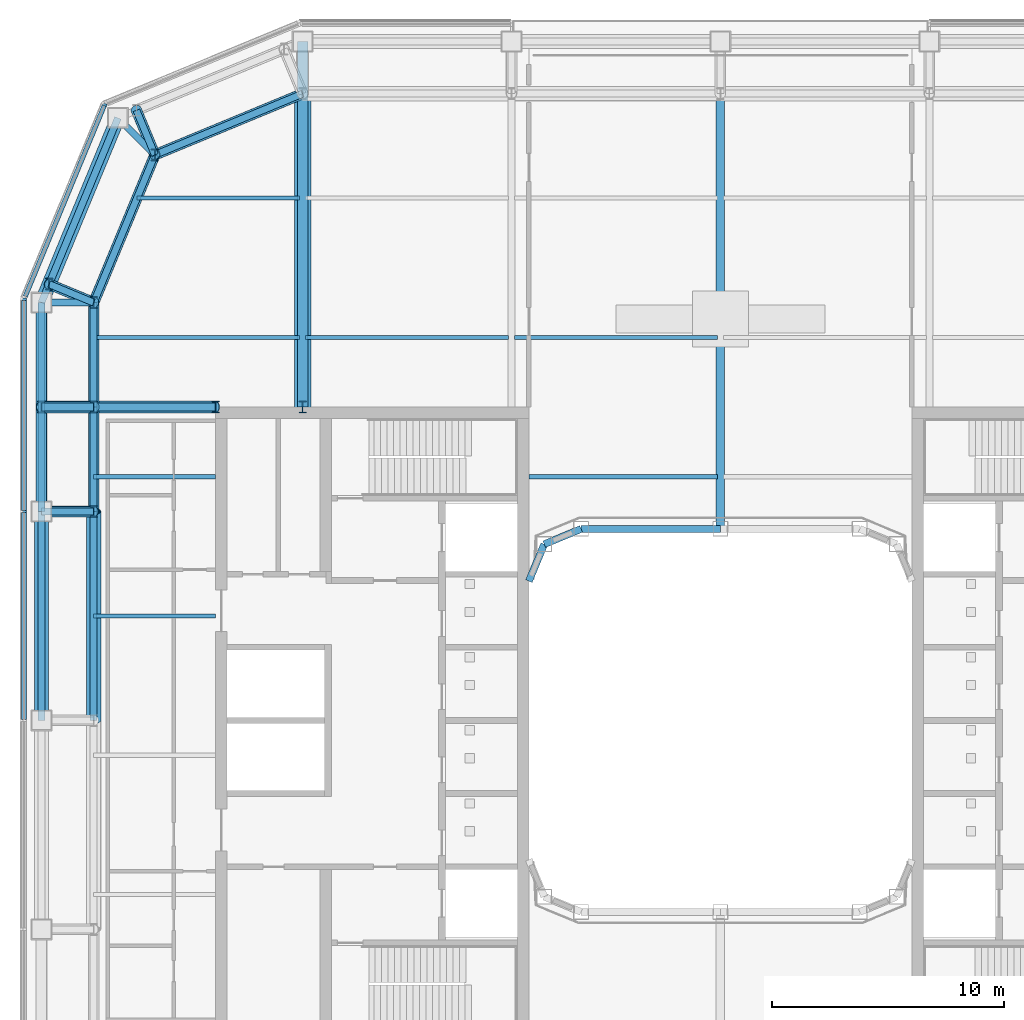
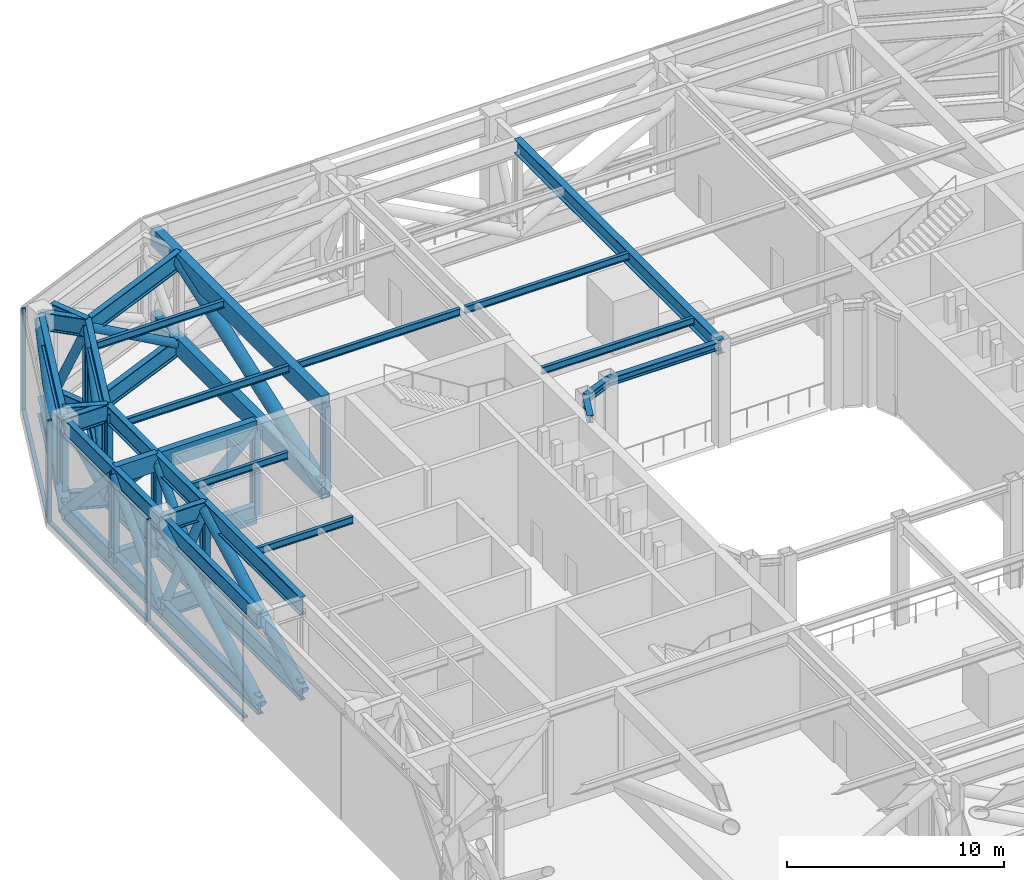
# One storey, part 6 of 22: 41 beams, 29 members, 2 elements without a shape of their own.
"""IFC4 building model written with IfcOpenShell, lengths in metres."""

import ifcopenshell
import ifcopenshell.guid

model = None  # the IFC model being written
_history = None  # IfcOwnerHistory: only IFC2X3 demands one
_inside = {}  # id of a spatial element -> (the spatial element, [elements in it])
_under = {}  # id of a project, library or spatial element -> (it, [spatial elements below it])
_declared = {}  # id of a project -> (the project, [libraries it declares])
_typed = {}  # id of a type object -> (the type object, [elements of that type])
_made_of = {}  # id of a material, layer set ... -> (it, [elements and type objects made of it])


def new_model(schema):
    """Start an empty IFC model of exactly this schema.

    Asked for "IFC4X3", IfcOpenShell would pick the latest addendum, in which some entities
    have other attributes; the version numbers below select the first issue.
    IFC2X3 requires an IfcOwnerHistory on every rooted entity: one is made here for all.
    """
    global model, _history
    if schema == "IFC4X3":
        model = ifcopenshell.file(schema_version=(4, 3, 0, 0))
    else:
        model = ifcopenshell.file(schema=schema)
    _inside.clear()
    _under.clear()
    _declared.clear()
    _typed.clear()
    _made_of.clear()
    _history = None
    if model.schema == "IFC2X3":
        org = make("IfcOrganization", Name="unknown")
        user = make(
            "IfcPersonAndOrganization",
            ThePerson=make("IfcPerson", FamilyName="unknown"),
            TheOrganization=org,
        )
        app = make(
            "IfcApplication",
            ApplicationDeveloper=org,
            Version="unknown",
            ApplicationFullName="unknown",
            ApplicationIdentifier="unknown",
        )
        _history = make(
            "IfcOwnerHistory",
            OwningUser=user,
            OwningApplication=app,
            ChangeAction="ADDED",
            CreationDate=0,
        )
    return model


def make(cls, **values):
    """One entity of the class cls with the attributes given. An attribute that is None is left unset."""
    return model.create_entity(
        cls, **{name: value for name, value in values.items() if value is not None}
    )


def rooted(cls, **values):
    """An entity with a GlobalId (a new one), such as an element, a storey or a relation."""
    return make(cls, GlobalId=ifcopenshell.guid.new(), OwnerHistory=_history, **values)


def si_unit(unit_type, name, prefix=None):
    """IfcSIUnit, for example si_unit("LENGTHUNIT", "METRE", prefix="MILLI")."""
    return make("IfcSIUnit", UnitType=unit_type, Prefix=prefix, Name=name)


def assignment(units):
    """IfcUnitAssignment: the units of a project."""
    return None if units is None else make("IfcUnitAssignment", Units=units)


def point(xyz):
    """IfcCartesianPoint."""
    return None if xyz is None else make("IfcCartesianPoint", Coordinates=xyz)


def direction(xyz):
    """IfcDirection."""
    return None if xyz is None else make("IfcDirection", DirectionRatios=xyz)


def frame(location, z_axis=None, x_axis=None):
    """IfcAxis2Placement3D, a coordinate frame: its origin and axes. An axis left out is left unset."""
    return make(
        "IfcAxis2Placement3D",
        Location=point(location),
        Axis=direction(z_axis),
        RefDirection=direction(x_axis),
    )


def frame_2d(location, x_axis=None):
    """IfcAxis2Placement2D, a coordinate frame in the plane: its origin and x axis."""
    return make(
        "IfcAxis2Placement2D", Location=point(location), RefDirection=direction(x_axis)
    )


def origin():
    """The frame at (0, 0, 0) with its axes left unset."""
    return frame((0.0, 0.0, 0.0))


def origin_2d():
    """The frame at (0, 0) in the plane with its x axis left unset."""
    return frame_2d((0.0, 0.0))


def place(relative_to, where):
    """IfcLocalPlacement: puts the frame where relative to a parent placement (None: the world)."""
    return make(
        "IfcLocalPlacement", PlacementRelTo=relative_to, RelativePlacement=where
    )


def context(
    kind, dimensions, precision=None, world=None, true_north=None, identifier=None
):
    """IfcGeometricRepresentationContext, for example the 3D "Model" context."""
    return make(
        "IfcGeometricRepresentationContext",
        ContextIdentifier=identifier,
        ContextType=kind,
        CoordinateSpaceDimension=dimensions,
        Precision=precision,
        WorldCoordinateSystem=world,
        TrueNorth=true_north,
    )


def subcontext(parent, identifier, kind, view, scale=None):
    """IfcGeometricRepresentationSubContext, for example "Body" below "Model"."""
    return make(
        "IfcGeometricRepresentationSubContext",
        ContextIdentifier=identifier,
        ContextType=kind,
        ParentContext=parent,
        TargetScale=scale,
        TargetView=view,
    )


def project(units=None, contexts=None):
    """IfcProject with its units and contexts."""
    return rooted(
        "IfcProject",
        Name="project",
        RepresentationContexts=contexts,
        UnitsInContext=assignment(units),
    )


def spatial(cls, under=None, at=None, **own):
    """A site, building, storey or space (cls), placed at a placement, below another one or the project."""
    s = rooted(cls, ObjectPlacement=at, **own)
    if under is not None:
        _under.setdefault(under.id(), (under, []))[1].append(s)
    return s


def profile(cls, at=None, kind="AREA", **sizes):
    """A parametric profile (cls). Its sizes go by their IFC names, for example OverallWidth=200.0."""
    return make(cls, ProfileType=kind, Position=at, **sizes)


def rectangle(**sizes):
    """IfcRectangleProfileDef."""
    return profile("IfcRectangleProfileDef", **sizes)


def hollow_rectangle(**sizes):
    """IfcRectangleHollowProfileDef."""
    return profile("IfcRectangleHollowProfileDef", **sizes)


def hollow_circle(**sizes):
    """IfcCircleHollowProfileDef."""
    return profile("IfcCircleHollowProfileDef", **sizes)


def i_section(**sizes):
    """IfcIShapeProfileDef."""
    return profile("IfcIShapeProfileDef", **sizes)


def extrude(swept, where, along, depth):
    """IfcExtrudedAreaSolid: the profile swept, set in the frame where, extruded along a direction by depth."""
    return make(
        "IfcExtrudedAreaSolid",
        SweptArea=swept,
        Position=where,
        ExtrudedDirection=direction(along),
        Depth=depth,
    )


def shape(context_of_items, identifier, shape_type, items):
    """IfcShapeRepresentation: the items that make up one representation, for example the "Body"."""
    return make(
        "IfcShapeRepresentation",
        ContextOfItems=context_of_items,
        RepresentationIdentifier=identifier,
        RepresentationType=shape_type,
        Items=items,
    )


def material(Name=None, Category=None):
    """IfcMaterial."""
    return make("IfcMaterial", Name=Name, Category=Category)


def layer(
    of_material, thickness, ventilated=None, Name=None, Category=None, Priority=None
):
    """IfcMaterialLayer: one layer of a wall or slab, of a material (None: an air gap)."""
    return make(
        "IfcMaterialLayer",
        Material=of_material,
        LayerThickness=thickness,
        IsVentilated=ventilated,
        Name=Name,
        Category=Category,
        Priority=Priority,
    )


def layer_set(layers, Name=None):
    """IfcMaterialLayerSet."""
    return make("IfcMaterialLayerSet", MaterialLayers=layers, LayerSetName=Name)


def material_profile(
    of_material, cross_section, Name=None, Category=None, Priority=None
):
    """IfcMaterialProfile: a cross section and its material."""
    return make(
        "IfcMaterialProfile",
        Name=Name,
        Material=of_material,
        Profile=cross_section,
        Priority=Priority,
        Category=Category,
    )


def profile_set(profiles, Name=None, composite=None):
    """IfcMaterialProfileSet."""
    return make(
        "IfcMaterialProfileSet",
        Name=Name,
        MaterialProfiles=profiles,
        CompositeProfile=composite,
    )


def made_of(thing, what):
    """Note that an element or type object is made of a material, layer set ...; save() writes the relation."""
    if what is not None:
        _made_of.setdefault(what.id(), (what, []))[1].append(thing)
    return thing


def type_object(cls, material=None, **own):
    """A type object (cls), such as IfcWallType, which elements share."""
    return made_of(rooted(cls, **own), material)


def element(
    cls,
    number,
    at=None,
    inside=None,
    cuts=None,
    type_object=None,
    material=None,
    context=None,
    identifier="Body",
    shape_type=None,
    held_by="IfcProductDefinitionShape",
    body=None,
    shapes=None,
    **own,
):
    """One element of the class cls, such as IfcWall. Its Tag is "e" and its number.

    at: its placement. inside: the storey or other place that contains it. cuts: it is an
    opening in that element (IfcRelVoidsElement). A single representation is given by context,
    identifier, shape_type and body (its items); several are given by shapes. held_by: the class
    of the entity that holds the representations. save() writes the other relations.
    """
    e = rooted(cls, Tag="e%d" % number, ObjectPlacement=at, **own)
    if body is not None:
        shapes = [shape(context, identifier, shape_type, body)]
    if shapes is not None:
        e.Representation = make(held_by, Representations=shapes)
    if inside is not None:
        _inside.setdefault(inside.id(), (inside, []))[1].append(e)
    if cuts is not None:
        rooted(
            "IfcRelVoidsElement", RelatingBuildingElement=cuts, RelatedOpeningElement=e
        )
    if type_object is not None:
        _typed.setdefault(type_object.id(), (type_object, []))[1].append(e)
    return made_of(e, material)


def aggregate(whole, parts):
    """IfcRelAggregates: a whole, such as a stair, and the parts it consists of."""
    return rooted("IfcRelAggregates", RelatingObject=whole, RelatedObjects=parts)


def save(model, path):
    """Write the relations noted so far, then the file.

    IfcRelAggregates (storeys below a building ...), IfcRelContainedInSpatialStructure (elements
    in a storey), IfcRelDefinesByType, IfcRelAssociatesMaterial and IfcRelDeclares: one each for
    every whole, place, type object, material and project.
    """
    for whole, parts in _under.values():
        aggregate(whole, parts)
    for where, things in _inside.values():
        rooted(
            "IfcRelContainedInSpatialStructure",
            RelatedElements=things,
            RelatingStructure=where,
        )
    for kind, things in _typed.values():
        rooted("IfcRelDefinesByType", RelatedObjects=things, RelatingType=kind)
    for what, things in _made_of.values():
        rooted("IfcRelAssociatesMaterial", RelatedObjects=things, RelatingMaterial=what)
    for by, libraries in _declared.values():
        rooted("IfcRelDeclares", RelatingContext=by, RelatedDefinitions=libraries)
    model.write(path)


model = new_model("IFC4")

# Units and contexts
model_context = context("Model", 3, precision=1e-05, world=origin(), true_north=direction((0.0, 1.0)))
body_context = subcontext(model_context, "Body", "Model", "MODEL_VIEW")
ifc_project = project(units=[si_unit("LENGTHUNIT", "METRE"), si_unit("AREAUNIT", "SQUARE_METRE"), si_unit("VOLUMEUNIT", "CUBIC_METRE"), si_unit("PLANEANGLEUNIT", "RADIAN"), si_unit("MASSUNIT", "GRAM", prefix="KILO")], contexts=[model_context])

# Site, building, storey
site_placement = place(None, origin())
site = spatial("IfcSite", under=ifc_project, at=site_placement, CompositionType="ELEMENT")
building_placement = place(site_placement, origin())
building = spatial("IfcBuilding", under=site, at=building_placement, Name="Siwar Civic Tower", CompositionType="ELEMENT")
storey_placement = place(building_placement, frame((0.0, 0.0, 181.199951171875)))
storey = spatial("IfcBuildingStorey", under=building, at=storey_placement, Name="L39", CompositionType="ELEMENT", Elevation=181.199951171875)

# Curtain wall, member
ifc_material_1 = material(Name="Aluminium and glass", Category="aluminium")
ifc_layer = layer(ifc_material_1, 0.199951171875)
ifc_layer_set = layer_set([ifc_layer], Name="Aluminium and glass")
curtain_wall_type = type_object("IfcCurtainWallType", Name="ENV-CW-P", PredefinedType="NOTDEFINED", material=ifc_layer_set)
curtain_wall_1_placement = place(storey_placement, origin())
curtain_wall_1 = element("IfcCurtainWall", 1, at=curtain_wall_1_placement, inside=storey, type_object=curtain_wall_type, Name="Curtain wall P NW2", PredefinedType="NOTDEFINED")
ifc_material_2 = material(Name="Aluminium 6063-T6", Category="aluminium")
ifc_material_profile_1 = material_profile(ifc_material_2, rectangle(XDim=0.199951171875, YDim=0.10009765625, at=origin_2d()), Name="AL 200x100")
ifc_profile_set_1 = profile_set([ifc_material_profile_1], Name="Aluminium 6063-T6")
member_type_1 = type_object("IfcMemberType", Name="ENV-MULLION-P", PredefinedType="MULLION", material=ifc_profile_set_1)
member_1_placement = place(storey_placement, frame((-26.529052734375, 26.529052734375, 0.0), z_axis=(0.0, 0.0, 1.0), x_axis=(0.923879532511, -0.382683432365, 0.0)))
member_1 = element("IfcMember", 2, at=member_1_placement, type_object=member_type_1, Name="Mullion P NW2 1", PredefinedType="MULLION", context=body_context, shape_type="SweptSolid", body=[
    extrude(rectangle(XDim=0.199951171875, YDim=0.10009765625, at=origin_2d()), origin(), (0.0, 0.0, 1.0), 5.800048828125),
])

# Curtain wall, members
curtain_wall_2_placement = place(storey_placement, origin())
curtain_wall_2 = element("IfcCurtainWall", 3, at=curtain_wall_2_placement, inside=storey, type_object=curtain_wall_type, Name="Curtain wall P W", PredefinedType="NOTDEFINED")
member_2_placement = place(storey_placement, frame((-30.0, 18.149169921875, 0.0), z_axis=(0.0, 0.0, 1.0), x_axis=(1.0, 0.0, 0.0)))
member_2 = element("IfcMember", 4, at=member_2_placement, type_object=member_type_1, Name="Mullion P W 1", PredefinedType="MULLION", context=body_context, shape_type="SweptSolid", body=[
    extrude(rectangle(XDim=0.199951171875, YDim=0.10009765625, at=origin_2d()), origin(), (0.0, 0.0, 1.0), 5.800048828125),
])
member_3_placement = place(storey_placement, frame((-30.0, 9.0, 0.0), z_axis=(0.0, 0.0, 1.0), x_axis=(1.0, 0.0, 0.0)))
member_3 = element("IfcMember", 5, at=member_3_placement, type_object=member_type_1, Name="Mullion P W 2", PredefinedType="MULLION", context=body_context, shape_type="SweptSolid", body=[
    extrude(rectangle(XDim=0.199951171875, YDim=0.10009765625, at=origin_2d()), origin(), (0.0, 0.0, 1.0), 5.800048828125),
])

# Member
ifc_material_3 = material(Name="Aluminium 6063-T6", Category="aluminium")
ifc_material_profile_2 = material_profile(ifc_material_3, rectangle(XDim=0.199951171875, YDim=0.1201171875, at=origin_2d()), Name="AL 200x120")
ifc_profile_set_2 = profile_set([ifc_material_profile_2], Name="Aluminium 6063-T6")
member_type_2 = type_object("IfcMemberType", Name="ENV-TRANSOM-P", PredefinedType="USERDEFINED", material=ifc_profile_set_2)
member_4_placement = place(storey_placement, frame((-26.548095703125, 26.482666015625, 0.06005859375), z_axis=(-0.382679077463, -0.923881336359, 0.0), x_axis=(0.923881336359, -0.382679077463, 0.0)))
member_4 = element("IfcMember", 6, at=member_4_placement, type_object=member_type_2, Name="Transom P NW2 1", ObjectType="TRANSOM", PredefinedType="USERDEFINED", context=body_context, shape_type="SweptSolid", body=[
    extrude(rectangle(XDim=0.199951171875, YDim=0.1201171875, at=origin_2d()), origin(), (0.0, 0.0, 1.0), 8.89404296875),
])

aggregate(curtain_wall_1, [member_1, member_4])

member_5_placement = place(storey_placement, frame((-30.0, 18.09912109375, 0.06005859375), z_axis=(0.0, -1.0, 0.0), x_axis=(1.0, 0.0, 0.0)))
member_5 = element("IfcMember", 7, at=member_5_placement, type_object=member_type_2, Name="Transom P W 1", ObjectType="TRANSOM", PredefinedType="USERDEFINED", context=body_context, shape_type="SweptSolid", body=[
    extrude(rectangle(XDim=0.199951171875, YDim=0.1201171875, at=origin_2d()), origin(), (0.0, 0.0, 1.0), 9.049072265625),
])

member_6_placement = place(storey_placement, frame((-30.0, 8.949951171875, 0.06005859375), z_axis=(0.0, -1.0, 0.0), x_axis=(1.0, 0.0, 0.0)))
member_6 = element("IfcMember", 8, at=member_6_placement, type_object=member_type_2, Name="Transom P W 2", ObjectType="TRANSOM", PredefinedType="USERDEFINED", context=body_context, shape_type="SweptSolid", body=[
    extrude(rectangle(XDim=0.199951171875, YDim=0.1201171875, at=origin_2d()), origin(), (0.0, 0.0, 1.0), 8.89990234375),
])

aggregate(curtain_wall_2, [member_2, member_3, member_5, member_6])

# Beams
ifc_material_4 = material(Name="Steel S460", Category="steel")
ifc_material_profile_3 = material_profile(ifc_material_4, i_section(OverallWidth=0.302001953125, OverallDepth=1.008056640625, WebThickness=0.02099609375, FlangeThickness=0.0400390625, FilletRadius=0.030029296875, at=origin_2d()), Name="HEM1000")
ifc_profile_set_3 = profile_set([ifc_material_profile_3], Name="Steel S460")
beam_type_1 = type_object("IfcBeamType", Name="STR-BELT-TRUSS-CHORD-HEM1000", PredefinedType="BEAM", material=ifc_profile_set_3)
for number, where, z_axis, x_axis, name in (
    (9, (-18.0, 27.0, 0.504150390625), (-0.923883353507, -0.382674207535, 0.0), (0.382674207535, -0.923883353507, 0.0), "Belt truss chord"),
    (10, (-18.0, 27.0, 5.296142578125), (-0.923883353507, -0.382674207535, 0.0), (0.382674207535, -0.923883353507, 0.0), "Belt truss chord"),
    (11, (-24.364013671875, 24.364013671875, 0.504150390625), (-0.382674207535, -0.923883353507, 0.0), (0.923883353507, -0.382674207535, 0.0), "Belt truss chord"),
    (12, (-24.364013671875, 24.364013671875, 5.296142578125), (-0.382674207535, -0.923883353507, 0.0), (0.923883353507, -0.382674207535, 0.0), "Belt truss chord"),
):
    element("IfcBeam", number, at=place(storey_placement, frame(where, z_axis=z_axis, x_axis=x_axis)), inside=storey, type_object=beam_type_1, Name=name, PredefinedType="BEAM", context=body_context, shape_type="SweptSolid", body=[
        extrude(i_section(OverallWidth=0.302001953125, OverallDepth=1.008056640625, WebThickness=0.02099609375, FlangeThickness=0.0400390625, FilletRadius=0.030029296875, at=origin_2d()), origin(), (0.0, 0.0, 1.0), 6.888427734375),
    ])
for number, where, z_axis, x_axis, name in (
    (13, (-27.0, 18.0, 0.504150390625), (0.0, -1.0, 0.0), (1.0, 0.0, 0.0), "Belt truss chord"),
    (14, (-27.0, 18.0, 5.296142578125), (0.0, -1.0, 0.0), (1.0, 0.0, 0.0), "Belt truss chord"),
    (15, (-27.0, 13.5, 0.504150390625), (0.0, -1.0, 0.0), (1.0, 0.0, 0.0), "Belt truss chord"),
    (16, (-27.0, 13.5, 5.296142578125), (0.0, -1.0, 0.0), (1.0, 0.0, 0.0), "Belt truss chord"),
):
    element("IfcBeam", number, at=place(storey_placement, frame(where, z_axis=z_axis, x_axis=x_axis)), inside=storey, type_object=beam_type_1, Name=name, PredefinedType="BEAM", context=body_context, shape_type="SweptSolid", body=[
        extrude(i_section(OverallWidth=0.302001953125, OverallDepth=1.008056640625, WebThickness=0.02099609375, FlangeThickness=0.0400390625, FilletRadius=0.030029296875, at=origin_2d()), origin(), (0.0, 0.0, 1.0), 4.5),
    ])
for number, where, z_axis, x_axis, name in (
    (17, (-27.0, 9.0, 0.504150390625), (0.0, -1.0, 0.0), (1.0, 0.0, 0.0), "Belt truss chord"),
    (18, (-27.0, 9.0, 5.296142578125), (0.0, -1.0, 0.0), (1.0, 0.0, 0.0), "Belt truss chord"),
):
    element("IfcBeam", number, at=place(storey_placement, frame(where, z_axis=z_axis, x_axis=x_axis)), inside=storey, type_object=beam_type_1, Name=name, PredefinedType="BEAM", context=body_context, shape_type="SweptSolid", body=[
        extrude(i_section(OverallWidth=0.302001953125, OverallDepth=1.008056640625, WebThickness=0.02099609375, FlangeThickness=0.0400390625, FilletRadius=0.030029296875, at=origin_2d()), origin(), (0.0, 0.0, 1.0), 9.0),
    ])
for number, where, z_axis, x_axis, name in (
    (19, (-25.954833984375, 25.954833984375, 0.504150390625), (-0.382699877515, -0.923872720536, 0.0), (0.923872720536, -0.382699877515, 0.0), "Belt truss chord"),
    (20, (-25.954833984375, 25.954833984375, 5.296142578125), (-0.382699877515, -0.923872720536, 0.0), (0.923872720536, -0.382699877515, 0.0), "Belt truss chord"),
):
    element("IfcBeam", number, at=place(storey_placement, frame(where, z_axis=z_axis, x_axis=x_axis)), inside=storey, type_object=beam_type_1, Name=name, PredefinedType="BEAM", context=body_context, shape_type="SweptSolid", body=[
        extrude(i_section(OverallWidth=0.302001953125, OverallDepth=1.008056640625, WebThickness=0.02099609375, FlangeThickness=0.0400390625, FilletRadius=0.030029296875, at=origin_2d()), origin(), (0.0, 0.0, 1.0), 8.6103515625),
    ])
for number, where, z_axis, x_axis, name in (
    (21, (-29.25, 18.0, 0.504150390625), (0.0, -1.0, 0.0), (1.0, 0.0, 0.0), "Belt truss chord"),
    (22, (-29.25, 18.0, 5.296142578125), (0.0, -1.0, 0.0), (1.0, 0.0, 0.0), "Belt truss chord"),
    (23, (-29.25, 9.0, 0.504150390625), (0.0, -1.0, 0.0), (1.0, 0.0, 0.0), "Belt truss chord"),
    (24, (-29.25, 9.0, 5.296142578125), (0.0, -1.0, 0.0), (1.0, 0.0, 0.0), "Belt truss chord"),
):
    element("IfcBeam", number, at=place(storey_placement, frame(where, z_axis=z_axis, x_axis=x_axis)), inside=storey, type_object=beam_type_1, Name=name, PredefinedType="BEAM", context=body_context, shape_type="SweptSolid", body=[
        extrude(i_section(OverallWidth=0.302001953125, OverallDepth=1.008056640625, WebThickness=0.02099609375, FlangeThickness=0.0400390625, FilletRadius=0.030029296875, at=origin_2d()), origin(), (0.0, 0.0, 1.0), 9.0),
    ])

# Members
ifc_material_5 = material(Name="Steel S355", Category="steel")
ifc_material_profile_4 = material_profile(ifc_material_5, hollow_circle(Radius=0.228515625, WallThickness=0.02001953125, at=origin_2d()), Name="CHS457x20")
ifc_profile_set_4 = profile_set([ifc_material_profile_4], Name="Steel S355")
member_type_3 = type_object("IfcMemberType", Name="STR-BELT-TRUSS-DIAGONAL-CHS457x20", PredefinedType="BRACE", material=ifc_profile_set_4)
for number, where, z_axis, x_axis, name in (
    (25, (-17.99609375, 27.00146484375, 0.501220703125), (-0.758418164088, -0.314142859752, 0.571065803606), (0.38267903437, -0.923881354208, 0.0), "Belt truss diagonal"),
    (26, (-27.00146484375, 17.99609375, 0.501220703125), (0.314142859752, 0.758418164088, 0.571065803606), (-0.923881354208, 0.38267903437, 0.0), "Belt truss diagonal"),
):
    element("IfcMember", number, at=place(storey_placement, frame(where, z_axis=z_axis, x_axis=x_axis)), inside=storey, type_object=member_type_3, Name=name, PredefinedType="BRACE", context=body_context, shape_type="SweptSolid", body=[
        extrude(hollow_circle(Radius=0.228515625, WallThickness=0.02001953125, at=origin_2d()), origin(), (0.0, 0.0, 1.0), 8.401123046875),
    ])
for number, where, z_axis, x_axis, name in (
    (27, (-27.0, 18.00341796875, 0.50048828125), (0.0, -0.684545317859, 0.728970306526), (1.0, 0.0, 0.0), "Belt truss diagonal"),
    (28, (-27.0, 8.99658203125, 0.50048828125), (0.0, 0.684545317859, 0.728970306526), (-1.0, 0.0, 0.0), "Belt truss diagonal"),
    (29, (-29.25, 18.00341796875, 0.50048828125), (0.0, -0.684545317859, 0.728970306526), (1.0, 0.0, 0.0), "Belt truss diagonal"),
    (30, (-29.25, 8.99658203125, 0.50048828125), (0.0, 0.684545317859, 0.728970306526), (-1.0, 0.0, 0.0), "Belt truss diagonal"),
):
    element("IfcMember", number, at=place(storey_placement, frame(where, z_axis=z_axis, x_axis=x_axis)), inside=storey, type_object=member_type_3, Name=name, PredefinedType="BRACE", context=body_context, shape_type="SweptSolid", body=[
        extrude(hollow_circle(Radius=0.228515625, WallThickness=0.02001953125, at=origin_2d()), origin(), (0.0, 0.0, 1.0), 6.583740234375),
    ])
for number, where, z_axis, x_axis, name in (
    (31, (-25.16015625, 26.286376953125, 0.49951171875), (0.15226891252, -0.367703299168, 0.917392207325), (0.923913980191, 0.382600257719, 0.0), "Belt truss diagonal"),
    (32, (-26.998046875, 17.999267578125, 0.49951171875), (-0.367703299168, 0.15226891252, 0.917392207325), (-0.382600257719, -0.923913980191, 0.0), "Belt truss diagonal"),
):
    element("IfcMember", number, at=place(storey_placement, frame(where, z_axis=z_axis, x_axis=x_axis)), inside=storey, type_object=member_type_3, Name=name, PredefinedType="BRACE", context=body_context, shape_type="SweptSolid", body=[
        extrude(hollow_circle(Radius=0.228515625, WallThickness=0.02001953125, at=origin_2d()), origin(), (0.0, 0.0, 1.0), 5.2333984375),
    ])
member_7_placement = place(storey_placement, frame((-29.252197265625, 9.0, 0.49951171875), z_axis=(0.425038765055, 0.0, 0.905175147803), x_axis=(0.0, 1.0, 0.0)))
element("IfcMember", 33, at=member_7_placement, inside=storey, type_object=member_type_3, Name="Belt truss diagonal", PredefinedType="BRACE", context=body_context, shape_type="SweptSolid", body=[
    extrude(hollow_circle(Radius=0.228515625, WallThickness=0.02001953125, at=origin_2d()), origin(), (0.0, 0.0, 1.0), 5.303955078125),
])
ifc_material_6 = material(Name="Steel S355", Category="steel")
ifc_material_profile_5 = material_profile(ifc_material_6, hollow_circle(Radius=0.304931640625, WallThickness=0.030029296875, at=origin_2d()), Name="CHS610x30")
ifc_profile_set_5 = profile_set([ifc_material_profile_5], Name="Steel S355")
member_type_4 = type_object("IfcMemberType", Name="STR-BELT-TRUSS-DIAGONAL-CHS610x30", PredefinedType="BRACE", material=ifc_profile_set_5)
member_8_placement = place(storey_placement, frame((-27.0, -0.00439453125, 0.501708984375), z_axis=(0.0, 0.882680501151, 0.469973544881), x_axis=(-1.0, 0.0, 0.0)))
element("IfcMember", 34, at=member_8_placement, inside=storey, type_object=member_type_4, Name="Belt truss diagonal", PredefinedType="BRACE", context=body_context, shape_type="SweptSolid", body=[
    extrude(hollow_circle(Radius=0.304931640625, WallThickness=0.030029296875, at=origin_2d()), origin(), (0.0, 0.0, 1.0), 10.2060546875),
])
member_9_placement = place(storey_placement, frame((-29.251708984375, 17.995849609375, 0.501708984375), z_axis=(0.334378008671, 0.807284049506, 0.486296011427), x_axis=(-0.923883575944, 0.382673670509, 0.0)))
element("IfcMember", 35, at=member_9_placement, inside=storey, type_object=member_type_4, Name="Belt truss diagonal", PredefinedType="BRACE", context=body_context, shape_type="SweptSolid", body=[
    extrude(hollow_circle(Radius=0.304931640625, WallThickness=0.030029296875, at=origin_2d()), origin(), (0.0, 0.0, 1.0), 9.864013671875),
])
member_10_placement = place(storey_placement, frame((-29.25, -0.00439453125, 0.501708984375), z_axis=(0.0, 0.882680501151, 0.469973544881), x_axis=(-1.0, 0.0, 0.0)))
element("IfcMember", 36, at=member_10_placement, inside=storey, type_object=member_type_4, Name="Belt truss diagonal", PredefinedType="BRACE", context=body_context, shape_type="SweptSolid", body=[
    extrude(hollow_circle(Radius=0.304931640625, WallThickness=0.030029296875, at=origin_2d()), origin(), (0.0, 0.0, 1.0), 10.2060546875),
])

# Beams
ifc_material_7 = material(Name="Steel S460", Category="steel")
ifc_material_profile_6 = material_profile(ifc_material_7, i_section(OverallWidth=0.302001953125, OverallDepth=1.008056640625, WebThickness=0.02099609375, FlangeThickness=0.0400390625, FilletRadius=0.030029296875, at=origin_2d()), Name="HEM1000")
ifc_profile_set_6 = profile_set([ifc_material_profile_6], Name="Steel S460")
beam_type_2 = type_object("IfcBeamType", Name="STR-BELT-TRUSS-LADDER-CHORD-HEM1000", PredefinedType="BEAM", material=ifc_profile_set_6)
for number, where, z_axis, x_axis, name in (
    (37, (-24.364013671875, 24.364013671875, 0.504150390625), (-0.382662992588, 0.923887998679, 0.0), (-0.923887998679, -0.382662992588, 0.0), "Belt truss ladder chord"),
    (38, (-24.364013671875, 24.364013671875, 5.296142578125), (-0.382662992588, 0.923887998679, 0.0), (-0.923887998679, -0.382662992588, 0.0), "Belt truss ladder chord"),
    (39, (-27.0, 18.0, 0.504150390625), (-0.923887998679, 0.382662992588, 0.0), (-0.382662992588, -0.923887998679, 0.0), "Belt truss ladder chord"),
    (40, (-27.0, 18.0, 5.296142578125), (-0.923887998679, 0.382662992588, 0.0), (-0.382662992588, -0.923887998679, 0.0), "Belt truss ladder chord"),
):
    element("IfcBeam", number, at=place(storey_placement, frame(where, z_axis=z_axis, x_axis=x_axis)), inside=storey, type_object=beam_type_2, Name=name, PredefinedType="BEAM", context=body_context, shape_type="SweptSolid", body=[
        extrude(i_section(OverallWidth=0.302001953125, OverallDepth=1.008056640625, WebThickness=0.02099609375, FlangeThickness=0.0400390625, FilletRadius=0.030029296875, at=origin_2d()), origin(), (0.0, 0.0, 1.0), 2.07861328125),
    ])
for number, where, z_axis, x_axis, name in (
    (41, (-27.0, 9.0, 0.504150390625), (-1.0, 0.0, 0.0), (0.0, -1.0, 0.0), "Belt truss ladder chord"),
    (42, (-27.0, 9.0, 5.296142578125), (-1.0, 0.0, 0.0), (0.0, -1.0, 0.0), "Belt truss ladder chord"),
):
    element("IfcBeam", number, at=place(storey_placement, frame(where, z_axis=z_axis, x_axis=x_axis)), inside=storey, type_object=beam_type_2, Name=name, PredefinedType="BEAM", context=body_context, shape_type="SweptSolid", body=[
        extrude(i_section(OverallWidth=0.302001953125, OverallDepth=1.008056640625, WebThickness=0.02099609375, FlangeThickness=0.0400390625, FilletRadius=0.030029296875, at=origin_2d()), origin(), (0.0, 0.0, 1.0), 2.25),
    ])

# Members
ifc_material_8 = material(Name="Steel S355", Category="steel")
ifc_material_profile_7 = material_profile(ifc_material_8, i_section(OverallWidth=0.300048828125, OverallDepth=0.5, WebThickness=0.014404296875, FlangeThickness=0.028076171875, FilletRadius=0.027099609375, at=origin_2d()), Name="HEB500")
ifc_profile_set_7 = profile_set([ifc_material_profile_7], Name="Steel S355")
member_type_5 = type_object("IfcMemberType", Name="STR-BELT-TRUSS-POST-HEB500", PredefinedType="POST", material=ifc_profile_set_7)
for number, where, z_axis, x_axis, name in (
    (43, (-29.25, 13.5, 0.504150390625), (0.0, 0.0, 1.0), (1.0, 0.0, 0.0), "Belt truss post"),
    (44, (-28.92041015625, 18.79541015625, 0.504150390625), (0.0, 0.0, 1.0), (1.0, 0.0, 0.0), "Belt truss post"),
    (45, (-27.0, 9.0, 0.504150390625), (0.0, 0.0, 1.0), (1.0, 0.0, 0.0), "Belt truss post"),
    (46, (-27.0, 13.5, 0.504150390625), (0.0, 0.0, 1.0), (1.0, 0.0, 0.0), "Belt truss post"),
    (47, (-27.0, 18.0, 0.504150390625), (0.0, 0.0, 1.0), (1.0, 0.0, 0.0), "Belt truss post"),
    (48, (-24.364013671875, 24.364013671875, 0.504150390625), (0.0, 0.0, 1.0), (1.0, 0.0, 0.0), "Belt truss post"),
):
    element("IfcMember", number, at=place(storey_placement, frame(where, z_axis=z_axis, x_axis=x_axis)), inside=storey, type_object=member_type_5, Name=name, PredefinedType="POST", context=body_context, shape_type="SweptSolid", body=[
        extrude(i_section(OverallWidth=0.300048828125, OverallDepth=0.5, WebThickness=0.014404296875, FlangeThickness=0.028076171875, FilletRadius=0.027099609375, at=origin_2d()), origin(), (0.0, 0.0, 1.0), 4.7919921875),
    ])

# Beams
ifc_material_9 = material(Name="Steel S355", Category="steel")
ifc_material_profile_8 = material_profile(ifc_material_9, i_section(OverallWidth=0.179931640625, OverallDepth=0.39990234375, WebThickness=0.008544921875, FlangeThickness=0.013427734375, FilletRadius=0.02099609375, at=origin_2d()), Name="IPE400")
ifc_profile_set_8 = profile_set([ifc_material_profile_8], Name="Steel S355")
beam_type_3 = type_object("IfcBeamType", Name="STR-FB-IPE400", PredefinedType="JOIST", material=ifc_profile_set_8)
for number, where, z_axis, x_axis, name in (
    (49, (-27.0, 4.5, 5.60009765625), (1.0, 0.0, 0.0), (0.0, 1.0, 0.0), "L39/bm/F021"),
    (50, (-27.0, 10.5, 5.60009765625), (1.0, 0.0, 0.0), (0.0, 1.0, 0.0), "L39/bm/F023"),
):
    element("IfcBeam", number, at=place(storey_placement, frame(where, z_axis=z_axis, x_axis=x_axis)), inside=storey, type_object=beam_type_3, Name=name, PredefinedType="JOIST", context=body_context, shape_type="SweptSolid", body=[
        extrude(i_section(OverallWidth=0.179931640625, OverallDepth=0.39990234375, WebThickness=0.008544921875, FlangeThickness=0.013427734375, FilletRadius=0.02099609375, at=origin_2d()), origin(), (0.0, 0.0, 1.0), 5.25),
    ])
beam_1_placement = place(storey_placement, frame((-8.25, 10.5, 5.60009765625), z_axis=(1.0, 0.0, 0.0), x_axis=(0.0, 1.0, 0.0)))
element("IfcBeam", 51, at=beam_1_placement, inside=storey, type_object=beam_type_3, Name="L39/bm/F024", PredefinedType="JOIST", context=body_context, shape_type="SweptSolid", body=[
    extrude(i_section(OverallWidth=0.179931640625, OverallDepth=0.39990234375, WebThickness=0.008544921875, FlangeThickness=0.013427734375, FilletRadius=0.02099609375, at=origin_2d()), origin(), (0.0, 0.0, 1.0), 8.1201171875),
])
beam_2_placement = place(storey_placement, frame((-27.0, 16.5, 5.60009765625), z_axis=(1.0, 0.0, 0.0), x_axis=(0.0, 1.0, 0.0)))
element("IfcBeam", 52, at=beam_2_placement, inside=storey, type_object=beam_type_3, Name="L39/bm/F027", PredefinedType="JOIST", context=body_context, shape_type="SweptSolid", body=[
    extrude(i_section(OverallWidth=0.179931640625, OverallDepth=0.39990234375, WebThickness=0.008544921875, FlangeThickness=0.013427734375, FilletRadius=0.02099609375, at=origin_2d()), origin(), (0.0, 0.0, 1.0), 8.8701171875),
])
for number, where, z_axis, x_axis, name in (
    (53, (-17.8701171875, 16.5, 5.60009765625), (1.0, 0.0, 0.0), (0.0, 1.0, 0.0), "L39/bm/F028"),
    (54, (-8.8701171875, 16.5, 5.60009765625), (1.0, 0.0, 0.0), (0.0, 1.0, 0.0), "L39/bm/F029"),
):
    element("IfcBeam", number, at=place(storey_placement, frame(where, z_axis=z_axis, x_axis=x_axis)), inside=storey, type_object=beam_type_3, Name=name, PredefinedType="JOIST", context=body_context, shape_type="SweptSolid", body=[
        extrude(i_section(OverallWidth=0.179931640625, OverallDepth=0.39990234375, WebThickness=0.008544921875, FlangeThickness=0.013427734375, FilletRadius=0.02099609375, at=origin_2d()), origin(), (0.0, 0.0, 1.0), 8.740234375),
    ])
beam_3_placement = place(storey_placement, frame((-25.135986328125, 22.5, 5.60009765625), z_axis=(1.0, 0.0, 0.0), x_axis=(0.0, 1.0, 0.0)))
element("IfcBeam", 55, at=beam_3_placement, inside=storey, type_object=beam_type_3, Name="L39/bm/F033", PredefinedType="JOIST", context=body_context, shape_type="SweptSolid", body=[
    extrude(i_section(OverallWidth=0.179931640625, OverallDepth=0.39990234375, WebThickness=0.008544921875, FlangeThickness=0.013427734375, FilletRadius=0.02099609375, at=origin_2d()), origin(), (0.0, 0.0, 1.0), 7.006103515625),
])
ifc_material_10 = material(Name="Steel S460", Category="steel")
ifc_material_profile_9 = material_profile(ifc_material_10, hollow_rectangle(XDim=0.35009765625, YDim=1.008056640625, WallThickness=0.0400390625, at=origin_2d()), Name="BOX1008x350x40")
ifc_profile_set_9 = profile_set([ifc_material_profile_9], Name="Steel S460")
beam_type_4 = type_object("IfcBeamType", Name="STR-OUTRIGGER-TRUSS-CHORD-BOX1008x350x40", PredefinedType="BEAM", material=ifc_profile_set_9)
for number, where, z_axis, x_axis, name in (
    (56, (-29.25, 13.5, 0.504150390625), (1.0, 0.0, 0.0), (0.0, 1.0, 0.0), "Outrigger truss chord"),
    (57, (-29.25, 13.5, 5.296142578125), (1.0, 0.0, 0.0), (0.0, 1.0, 0.0), "Outrigger truss chord"),
):
    element("IfcBeam", number, at=place(storey_placement, frame(where, z_axis=z_axis, x_axis=x_axis)), inside=storey, type_object=beam_type_4, Name=name, PredefinedType="BEAM", context=body_context, shape_type="SweptSolid", body=[
        extrude(hollow_rectangle(XDim=0.35009765625, YDim=1.008056640625, WallThickness=0.0400390625, at=origin_2d()), origin(), (0.0, 0.0, 1.0), 2.25),
    ])
for number, where, z_axis, x_axis, name in (
    (58, (-27.0, 13.5, 0.504150390625), (1.0, 0.0, 0.0), (0.0, 1.0, 0.0), "Outrigger truss chord"),
    (59, (-27.0, 13.5, 5.296142578125), (1.0, 0.0, 0.0), (0.0, 1.0, 0.0), "Outrigger truss chord"),
):
    element("IfcBeam", number, at=place(storey_placement, frame(where, z_axis=z_axis, x_axis=x_axis)), inside=storey, type_object=beam_type_4, Name=name, PredefinedType="BEAM", context=body_context, shape_type="SweptSolid", body=[
        extrude(hollow_rectangle(XDim=0.35009765625, YDim=1.008056640625, WallThickness=0.0400390625, at=origin_2d()), origin(), (0.0, 0.0, 1.0), 5.25),
    ])
ifc_material_11 = material(Name="Steel S460", Category="steel")
ifc_material_profile_10 = material_profile(ifc_material_11, hollow_rectangle(XDim=0.449951171875, YDim=1.008056640625, WallThickness=0.044921875, at=origin_2d()), Name="BOX1008x450x45")
ifc_profile_set_10 = profile_set([ifc_material_profile_10], Name="Steel S460")
beam_type_5 = type_object("IfcBeamType", Name="STR-OUTRIGGER-TRUSS-CHORD-BOX1008x450x45", PredefinedType="BEAM", material=ifc_profile_set_10)
for number, where, z_axis, x_axis, name in (
    (60, (-18.0, 29.25, 0.504150390625), (0.0, -1.0, 0.0), (1.0, 0.0, 0.0), "Outrigger truss chord"),
    (61, (-18.0, 29.25, 5.296142578125), (0.0, -1.0, 0.0), (1.0, 0.0, 0.0), "Outrigger truss chord"),
):
    element("IfcBeam", number, at=place(storey_placement, frame(where, z_axis=z_axis, x_axis=x_axis)), inside=storey, type_object=beam_type_5, Name=name, PredefinedType="BEAM", context=body_context, shape_type="SweptSolid", body=[
        extrude(hollow_rectangle(XDim=0.449951171875, YDim=1.008056640625, WallThickness=0.044921875, at=origin_2d()), origin(), (0.0, 0.0, 1.0), 15.75),
    ])

# Members
ifc_material_12 = material(Name="Steel S355", Category="steel")
ifc_material_profile_11 = material_profile(ifc_material_12, hollow_circle(Radius=0.25390625, WallThickness=0.02490234375, at=origin_2d()), Name="CHS508x25")
ifc_profile_set_11 = profile_set([ifc_material_profile_11], Name="Steel S355")
member_type_6 = type_object("IfcMemberType", Name="STR-OUTRIGGER-TRUSS-DIAGONAL-CHS508x25", PredefinedType="BRACE", material=ifc_profile_set_11)
member_11_placement = place(storey_placement, frame((-26.997802734375, 13.5, 0.49951171875), z_axis=(-0.425038765055, 0.0, 0.905175147803), x_axis=(0.0, -1.0, 0.0)))
element("IfcMember", 62, at=member_11_placement, inside=storey, type_object=member_type_6, Name="Outrigger truss diagonal", PredefinedType="BRACE", context=body_context, shape_type="SweptSolid", body=[
    extrude(hollow_circle(Radius=0.25390625, WallThickness=0.02490234375, at=origin_2d()), origin(), (0.0, 0.0, 1.0), 5.303955078125),
])
member_12_placement = place(storey_placement, frame((-27.003662109375, 13.5, 0.500732421875), z_axis=(0.738596124999, 0.0, 0.674148176691), x_axis=(0.0, 1.0, 0.0)))
element("IfcMember", 63, at=member_12_placement, inside=storey, type_object=member_type_6, Name="Outrigger truss diagonal", PredefinedType="BRACE", context=body_context, shape_type="SweptSolid", body=[
    extrude(hollow_circle(Radius=0.25390625, WallThickness=0.02490234375, at=origin_2d()), origin(), (0.0, 0.0, 1.0), 7.117919921875),
])
ifc_material_13 = material(Name="Steel S355", Category="steel")
ifc_material_profile_12 = material_profile(ifc_material_13, hollow_circle(Radius=0.35546875, WallThickness=0.0400390625, at=origin_2d()), Name="CHS711x40")
ifc_profile_set_12 = profile_set([ifc_material_profile_12], Name="Steel S355")
member_type_7 = type_object("IfcMemberType", Name="STR-OUTRIGGER-TRUSS-DIAGONAL-CHS711x40", PredefinedType="BRACE", material=ifc_profile_set_12)
member_13_placement = place(storey_placement, frame((-18.0, 13.495361328125, 0.50244140625), z_axis=(0.0, 0.942393631348, 0.334505969446), x_axis=(-1.0, 0.0, 0.0)))
element("IfcMember", 64, at=member_13_placement, inside=storey, type_object=member_type_7, Name="Outrigger truss diagonal", PredefinedType="BRACE", context=body_context, shape_type="SweptSolid", body=[
    extrude(hollow_circle(Radius=0.35546875, WallThickness=0.0400390625, at=origin_2d()), origin(), (0.0, 0.0, 1.0), 14.3349609375),
])
ifc_material_14 = material(Name="Steel S355", Category="steel")
ifc_material_profile_13 = material_profile(ifc_material_14, i_section(OverallWidth=0.300048828125, OverallDepth=0.5, WebThickness=0.014404296875, FlangeThickness=0.028076171875, FilletRadius=0.027099609375, at=origin_2d()), Name="HEB500")
ifc_profile_set_13 = profile_set([ifc_material_profile_13], Name="Steel S355")
member_type_8 = type_object("IfcMemberType", Name="STR-OUTRIGGER-TRUSS-POST-HEB500", PredefinedType="POST", material=ifc_profile_set_13)
for number, where, z_axis, x_axis, name in (
    (65, (-21.75, 13.5, 0.504150390625), (0.0, 0.0, 1.0), (1.0, 0.0, 0.0), "Outrigger truss post"),
    (66, (-18.0, 13.5, 0.504150390625), (0.0, 0.0, 1.0), (1.0, 0.0, 0.0), "Outrigger truss post"),
):
    element("IfcMember", number, at=place(storey_placement, frame(where, z_axis=z_axis, x_axis=x_axis)), inside=storey, type_object=member_type_8, Name=name, PredefinedType="POST", context=body_context, shape_type="SweptSolid", body=[
        extrude(i_section(OverallWidth=0.300048828125, OverallDepth=0.5, WebThickness=0.014404296875, FlangeThickness=0.028076171875, FilletRadius=0.027099609375, at=origin_2d()), origin(), (0.0, 0.0, 1.0), 4.7919921875),
    ])

# Beams
ifc_material_15 = material(Name="Steel S355", Category="steel")
ifc_material_profile_14 = material_profile(ifc_material_15, i_section(OverallWidth=0.360107421875, OverallDepth=0.800048828125, WebThickness=0.013916015625, FlangeThickness=0.031982421875, at=origin_2d()), Name="PG800x360x14x32")
ifc_profile_set_14 = profile_set([ifc_material_profile_14], Name="Steel S355")
beam_type_6 = type_object("IfcBeamType", Name="STR-PG-PG800x360x14x32", PredefinedType="BEAM", material=ifc_profile_set_14)
beam_4_placement = place(storey_placement, frame((0.0, 8.25, 5.400146484375), z_axis=(0.0, 1.0, 0.0), x_axis=(-1.0, 0.0, 0.0)))
element("IfcBeam", 67, at=beam_4_placement, inside=storey, type_object=beam_type_6, Name="L39/bm/G04", PredefinedType="BEAM", context=body_context, shape_type="SweptSolid", body=[
    extrude(i_section(OverallWidth=0.360107421875, OverallDepth=0.800048828125, WebThickness=0.013916015625, FlangeThickness=0.031982421875, at=origin_2d()), origin(), (0.0, 0.0, 1.0), 18.75),
])
ifc_material_16 = material(Name="Steel S355", Category="steel")
ifc_material_profile_15 = material_profile(ifc_material_16, i_section(OverallWidth=0.306884765625, OverallDepth=0.431884765625, WebThickness=0.02099609375, FlangeThickness=0.0400390625, FilletRadius=0.027099609375, at=origin_2d()), Name="HEM400")
ifc_profile_set_15 = profile_set([ifc_material_profile_15], Name="Steel S355")
beam_type_7 = type_object("IfcBeamType", Name="STR-RB-HEM400", PredefinedType="BEAM", material=ifc_profile_set_15)
beam_5_placement = place(storey_placement, frame((-7.591064453125, 7.591064453125, 5.583984375), z_axis=(0.923901072997, 0.382631424892, 0.0), x_axis=(-0.382631424892, 0.923901072997, 0.0)))
element("IfcBeam", 68, at=beam_5_placement, inside=storey, type_object=beam_type_7, Name="L39/bm/RN0", PredefinedType="BEAM", context=body_context, shape_type="SweptSolid", body=[
    extrude(i_section(OverallWidth=0.306884765625, OverallDepth=0.431884765625, WebThickness=0.02099609375, FlangeThickness=0.0400390625, FilletRadius=0.027099609375, at=origin_2d()), origin(), (0.0, 0.0, 1.0), 1.72216796875),
])
beam_6_placement = place(storey_placement, frame((-6.0, 8.25, 5.583984375), z_axis=(1.0, 0.0, 0.0), x_axis=(0.0, 1.0, 0.0)))
element("IfcBeam", 69, at=beam_6_placement, inside=storey, type_object=beam_type_7, Name="L39/bm/RN1", PredefinedType="BEAM", context=body_context, shape_type="SweptSolid", body=[
    extrude(i_section(OverallWidth=0.306884765625, OverallDepth=0.431884765625, WebThickness=0.02099609375, FlangeThickness=0.0400390625, FilletRadius=0.027099609375, at=origin_2d()), origin(), (0.0, 0.0, 1.0), 6.0),
])
beam_7_placement = place(storey_placement, frame((-7.591064453125, 7.591064453125, 5.583984375), z_axis=(-0.382631424892, -0.923901072997, 0.0), x_axis=(0.923901072997, -0.382631424892, 0.0)))
element("IfcBeam", 70, at=beam_7_placement, inside=storey, type_object=beam_type_7, Name="L39/bm/RNEW", PredefinedType="BEAM", context=body_context, shape_type="SweptSolid", body=[
    extrude(i_section(OverallWidth=0.306884765625, OverallDepth=0.431884765625, WebThickness=0.02099609375, FlangeThickness=0.0400390625, FilletRadius=0.027099609375, at=origin_2d()), origin(), (0.0, 0.0, 1.0), 1.72216796875),
])
ifc_material_17 = material(Name="Steel S460", Category="steel")
ifc_material_profile_16 = material_profile(ifc_material_17, i_section(OverallWidth=0.302001953125, OverallDepth=1.008056640625, WebThickness=0.02099609375, FlangeThickness=0.0400390625, FilletRadius=0.030029296875, at=origin_2d()), Name="HEM1000")
ifc_profile_set_16 = profile_set([ifc_material_profile_16], Name="Steel S460")
beam_type_8 = type_object("IfcBeamType", Name="STR-TRANSFER-GIRDER-HEM1000", PredefinedType="BEAM", material=ifc_profile_set_16)
beam_8_placement = place(storey_placement, frame((-24.364013671875, 24.364013671875, 5.296142578125), z_axis=(-0.707106781187, 0.707106781187, 0.0), x_axis=(-0.707106781187, -0.707106781187, 0.0)))
element("IfcBeam", 71, at=beam_8_placement, inside=storey, type_object=beam_type_8, Name="Transfer girder", PredefinedType="BEAM", context=body_context, shape_type="SweptSolid", body=[
    extrude(i_section(OverallWidth=0.302001953125, OverallDepth=1.008056640625, WebThickness=0.02099609375, FlangeThickness=0.0400390625, FilletRadius=0.030029296875, at=origin_2d()), origin(), (0.0, 0.0, 1.0), 2.249755859375),
])
beam_9_placement = place(storey_placement, frame((-27.0, 18.0, 5.296142578125), z_axis=(-1.0, 0.0, 0.0), x_axis=(0.0, -1.0, 0.0)))
element("IfcBeam", 72, at=beam_9_placement, inside=storey, type_object=beam_type_8, Name="Transfer girder", PredefinedType="BEAM", context=body_context, shape_type="SweptSolid", body=[
    extrude(i_section(OverallWidth=0.302001953125, OverallDepth=1.008056640625, WebThickness=0.02099609375, FlangeThickness=0.0400390625, FilletRadius=0.030029296875, at=origin_2d()), origin(), (0.0, 0.0, 1.0), 2.25),
])

save(model, "model.ifc")
